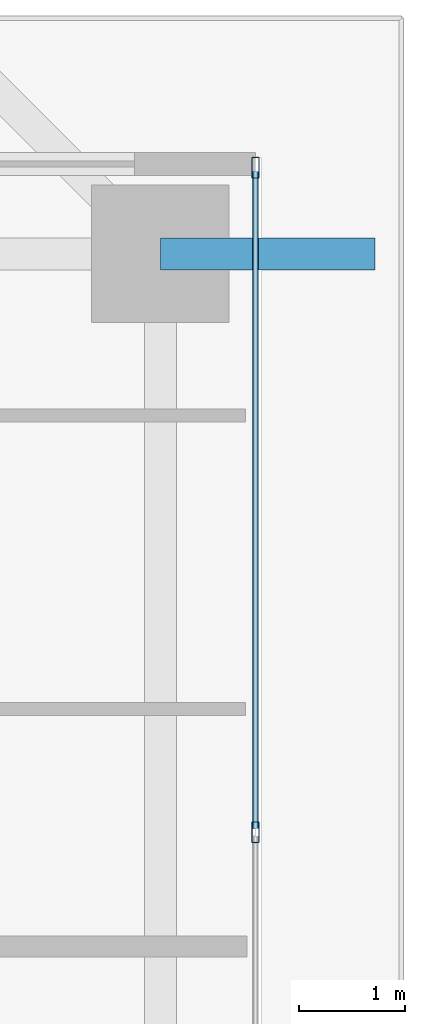
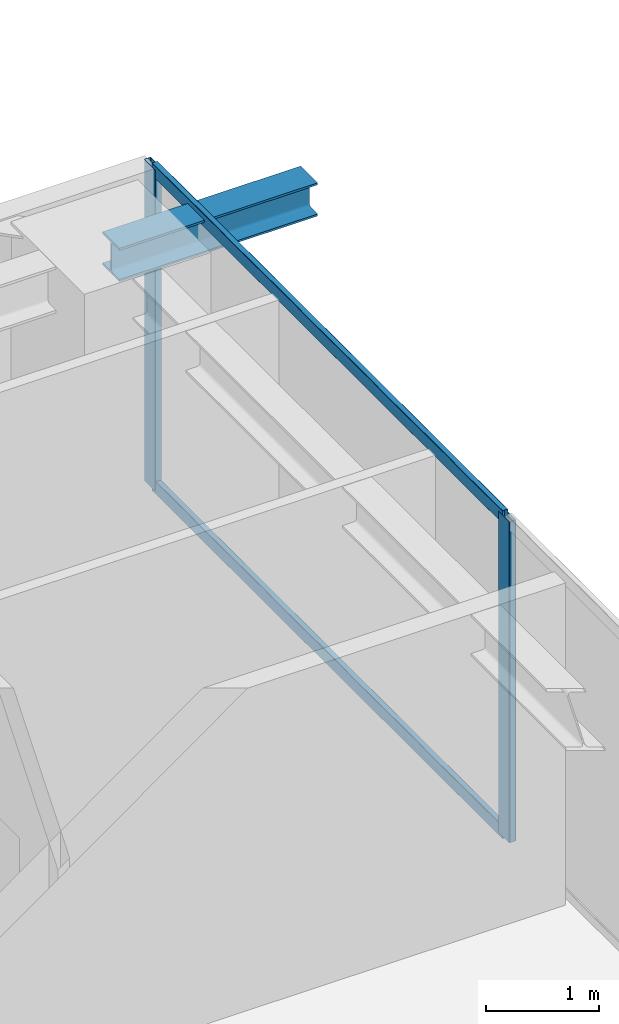
# One storey, part 24 of 39: 4 members, 1 beam, 1 element without a shape of its own.
"""IFC4 building model written with IfcOpenShell, lengths in metres."""

from ifc_helpers import new_model, si_unit, direction, frame, origin, origin_2d, place, context, subcontext, project, spatial, hollow_rectangle, i_section, extrude, source, transform, mapped, material, layer, layer_set, material_profile, profile_set, type_object, element, aggregate, save


model = new_model("IFC4")

# Units and contexts
model_context = context("Model", 3, precision=1e-05, world=origin(), true_north=direction((0.0, 1.0)))
body_context = subcontext(model_context, "Body", "Model", "MODEL_VIEW")
ifc_project = project(units=[si_unit("LENGTHUNIT", "METRE"), si_unit("AREAUNIT", "SQUARE_METRE"), si_unit("VOLUMEUNIT", "CUBIC_METRE"), si_unit("PLANEANGLEUNIT", "RADIAN"), si_unit("MASSUNIT", "GRAM", prefix="KILO")], contexts=[model_context])

# Site, building, storey
site_placement = place(None, origin())
site = spatial("IfcSite", under=ifc_project, at=site_placement, CompositionType="ELEMENT")
building_placement = place(site_placement, origin())
building = spatial("IfcBuilding", under=site, at=building_placement, Name="Serunith Strait Residences", CompositionType="ELEMENT")
storey_placement = place(building_placement, frame((0.0, 0.0, 168.89990234375)))
storey = spatial("IfcBuildingStorey", under=building, at=storey_placement, Name="L42", CompositionType="ELEMENT", Elevation=168.89990234375)

# Beam
ifc_material_1 = material(Name="Steel S355J2", Category="steel")
ifc_material_profile_1 = material_profile(ifc_material_1, i_section(OverallWidth=0.300048828125, OverallDepth=0.360107421875, WebThickness=0.012451171875, FlangeThickness=0.0224609375, FilletRadius=0.027099609375, at=origin_2d()), Name="HEB 360")
ifc_profile_set_1 = profile_set([ifc_material_profile_1], Name="Steel S355J2")
beam_type = type_object("IfcBeamType", Name="BM-HEB360", PredefinedType="BEAM", material=ifc_profile_set_1)
shared_shape_1 = source(origin(), body_context, "Body", "SweptSolid", [
    extrude(i_section(OverallWidth=0.300048828125, OverallDepth=0.360107421875, WebThickness=0.012451171875, FlangeThickness=0.0224609375, FilletRadius=0.027099609375, at=origin_2d()), origin(), (0.0, 0.0, 1.0), 2.02978515625),
])
beam_placement = place(storey_placement, frame((56.10009765625, 40.14990234375, 3.277099609375), z_axis=(1.0, 0.0, 0.0), x_axis=(0.0, 1.0, 0.0)))
element("IfcBeam", 1, at=beam_placement, inside=storey, type_object=beam_type, Name="L43 Cantilevered Balcony Rib TC-E4", PredefinedType="BEAM", context=body_context, shape_type="MappedRepresentation", body=[
    mapped(shared_shape_1, transform((0.0, 0.0, 0.0), scale=1.0)),
])

# Curtain wall, members
ifc_material_2 = material(Name="Pale-Champagne Anodised Aluminium", Category="aluminium")
ifc_layer = layer(ifc_material_2, 0.199951171875, Name="Pale-Champagne Anodised Aluminium")
ifc_layer_set = layer_set([ifc_layer], Name="Pale-Champagne Anodised Aluminium")
curtain_wall_type = type_object("IfcCurtainWallType", Name="CW-SYS2", PredefinedType="NOTDEFINED", material=ifc_layer_set)
curtain_wall_placement = place(storey_placement, origin())
curtain_wall = element("IfcCurtainWall", 2, at=curtain_wall_placement, inside=storey, type_object=curtain_wall_type, Name="L42 E Unitised Fritted Curtain Wall", PredefinedType="NOTDEFINED")
ifc_material_profile_2 = material_profile(ifc_material_2, hollow_rectangle(XDim=0.070068359375, YDim=0.199951171875, WallThickness=0.00390625, InnerFilletRadius=0.006103515625, OuterFilletRadius=0.010009765625, at=origin_2d()), Name="ALU 200x70x4")
ifc_profile_set_2 = profile_set([ifc_material_profile_2], Name="Pale-Champagne Anodised Aluminium")
member_type_1 = type_object("IfcMemberType", Name="CW-SYS2-MULL", PredefinedType="MULLION", material=ifc_profile_set_2)
shared_shape_2 = source(origin(), body_context, "Body", "SweptSolid", [
    extrude(hollow_rectangle(XDim=0.070068359375, YDim=0.199951171875, WallThickness=0.00390625, InnerFilletRadius=0.006103515625, OuterFilletRadius=0.010009765625, at=origin_2d()), origin(), (0.0, 0.0, 1.0), 3.47509765625),
])
member_1_placement = place(storey_placement, frame((57.0, 34.679931640625, 0.0), z_axis=(0.0, 0.0, 1.0), x_axis=(-1.0, 0.0, 0.0)))
member_1 = element("IfcMember", 3, at=member_1_placement, type_object=member_type_1, Name="CW-2 mullion 5", PredefinedType="MULLION", context=body_context, shape_type="MappedRepresentation", body=[
    mapped(shared_shape_2, transform((0.0, 0.0, 0.0), scale=1.0)),
])
member_2_placement = place(storey_placement, frame((57.0, 40.965087890625, 0.0), z_axis=(0.0, 0.0, 1.0), x_axis=(-1.0, 0.0, 0.0)))
member_2 = element("IfcMember", 4, at=member_2_placement, type_object=member_type_1, Name="CW-2 mullion 6", PredefinedType="MULLION", context=body_context, shape_type="MappedRepresentation", body=[
    mapped(shared_shape_2, transform((0.0, 0.0, 0.0), scale=1.0)),
])
ifc_material_profile_3 = material_profile(ifc_material_2, hollow_rectangle(XDim=0.06005859375, YDim=0.139892578125, WallThickness=0.00341796875, InnerFilletRadius=0.00537109375, OuterFilletRadius=0.0087890625, at=origin_2d()), Name="ALU 140x60x3.5")
ifc_profile_set_3 = profile_set([ifc_material_profile_3], Name="Pale-Champagne Anodised Aluminium")
member_type_2 = type_object("IfcMemberType", Name="CW-SYS2-TRAN", PredefinedType="USERDEFINED", material=ifc_profile_set_3)
shared_shape_3 = source(origin(), body_context, "Body", "SweptSolid", [
    extrude(hollow_rectangle(XDim=0.06005859375, YDim=0.139892578125, WallThickness=0.00341796875, InnerFilletRadius=0.00537109375, OuterFilletRadius=0.0087890625, at=origin_2d()), origin(), (0.0, 0.0, 1.0), 6.21484375),
])
member_3_placement = place(storey_placement, frame((57.0, 34.715087890625, 0.030029296875), z_axis=(0.0, 1.0, 0.0), x_axis=(-1.0, 0.0, 0.0)))
member_3 = element("IfcMember", 5, at=member_3_placement, type_object=member_type_2, Name="CW-2 transom 5.1", ObjectType="TRANSOM", PredefinedType="USERDEFINED", context=body_context, shape_type="MappedRepresentation", body=[
    mapped(shared_shape_3, transform((0.0, 0.0, 0.0), scale=1.0)),
])
member_4_placement = place(storey_placement, frame((57.0, 34.715087890625, 3.445068359375), z_axis=(0.0, 1.0, 0.0), x_axis=(-1.0, 0.0, 0.0)))
member_4 = element("IfcMember", 6, at=member_4_placement, type_object=member_type_2, Name="CW-2 transom 5.2", ObjectType="TRANSOM", PredefinedType="USERDEFINED", context=body_context, shape_type="MappedRepresentation", body=[
    mapped(shared_shape_3, transform((0.0, 0.0, 0.0), scale=1.0)),
])
aggregate(curtain_wall, [member_1, member_2, member_3, member_4])

save(model, "model.ifc")
